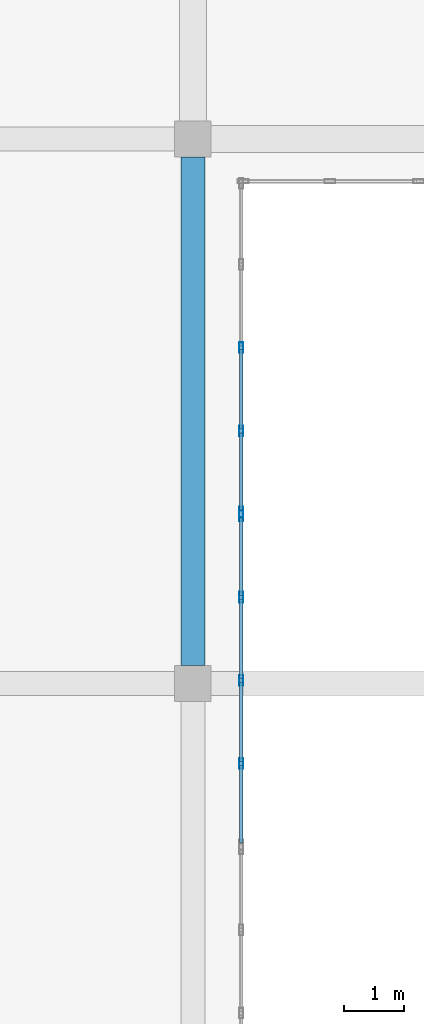
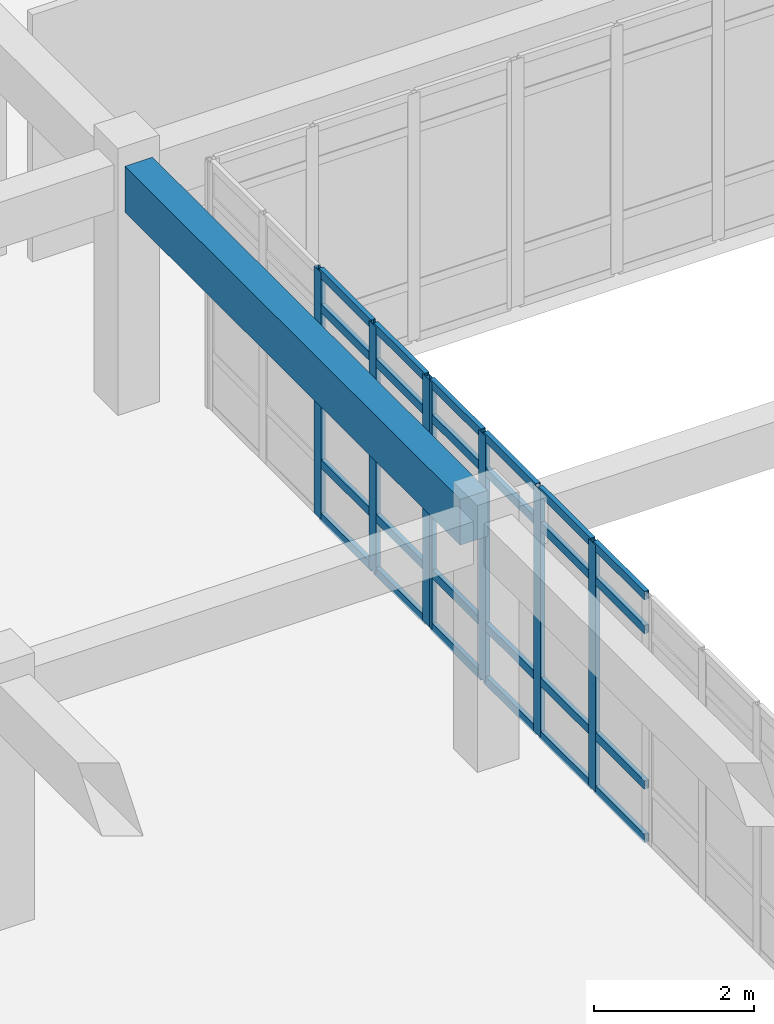
# One storey, part 47 of 91: 31 members, 1 beam, 2 elements without a shape of their own.
"""IFC4 building model written with IfcOpenShell, lengths in metres."""

from ifc_helpers import new_model, si_unit, direction, frame, origin, origin_2d, place, context, subcontext, project, spatial, rectangle, hollow_rectangle, extrude, material, layer, layer_set, material_profile, profile_set, type_object, element, aggregate, save


model = new_model("IFC4")

# Units and contexts
model_context = context("Model", 3, precision=1e-05, world=origin(), true_north=direction((0.0, 1.0)))
body_context = subcontext(model_context, "Body", "Model", "MODEL_VIEW")
ifc_project = project(units=[si_unit("LENGTHUNIT", "METRE"), si_unit("AREAUNIT", "SQUARE_METRE"), si_unit("VOLUMEUNIT", "CUBIC_METRE"), si_unit("PLANEANGLEUNIT", "RADIAN"), si_unit("MASSUNIT", "GRAM", prefix="KILO")], contexts=[model_context])

# Site, building, storey
site_placement = place(None, origin())
site = spatial("IfcSite", under=ifc_project, at=site_placement, CompositionType="ELEMENT")
building_placement = place(site_placement, origin())
building = spatial("IfcBuilding", under=site, at=building_placement, Name="Valcora Specialist Clinic", CompositionType="ELEMENT")
storey_placement = place(building_placement, frame((0.0, 0.0, 13.60009765625)))
storey = spatial("IfcBuildingStorey", under=building, at=storey_placement, Name="L03", CompositionType="ELEMENT", Elevation=13.60009765625)

# Beam
ifc_material_1 = material(Name="Concrete C40/50", Category="concrete")
ifc_material_profile_1 = material_profile(ifc_material_1, rectangle(XDim=0.39990234375, YDim=0.699951171875, at=origin_2d()), Name="RC-BM-400X700")
ifc_profile_set_1 = profile_set([ifc_material_profile_1], Name="Concrete C40/50")
beam_type = type_object("IfcBeamType", Name="TY-BM-RC400X700", PredefinedType="BEAM", material=ifc_profile_set_1)
beam_placement = place(storey_placement, frame((76.0, 90.5, 3.4248046875), z_axis=(0.0, 1.0, 0.0), x_axis=(-1.0, 0.0, 0.0)))
element("IfcBeam", 1, at=beam_placement, inside=storey, type_object=beam_type, Name="Beam BM-L03-0812", PredefinedType="BEAM", context=body_context, shape_type="SweptSolid", body=[
    extrude(rectangle(XDim=0.39990234375, YDim=0.699951171875, at=origin_2d()), origin(), (0.0, 0.0, 1.0), 8.39990234375),
])

# Curtain wall, members
ifc_material_2 = material(Name="Anodized Bronze Aluminium 6063-T6", Category="aluminium")
ifc_layer = layer(ifc_material_2, 0.175048828125)
ifc_layer_set = layer_set([ifc_layer], Name="Anodized Bronze Aluminium 6063-T6")
curtain_wall_type = type_object("IfcCurtainWallType", Name="TY-CW-CRT15", PredefinedType="NOTDEFINED", material=ifc_layer_set)
curtain_wall_1_placement = place(storey_placement, origin())
curtain_wall_1 = element("IfcCurtainWall", 2, at=curtain_wall_1_placement, inside=storey, type_object=curtain_wall_type, Name="Curtain wall CW-L03-134", PredefinedType="NOTDEFINED")
ifc_material_profile_2 = material_profile(ifc_material_2, hollow_rectangle(XDim=0.06494140625, YDim=0.175048828125, WallThickness=0.00390625, at=origin_2d()), Name="AL-MUL-65X175")
ifc_profile_set_2 = profile_set([ifc_material_profile_2], Name="Anodized Bronze Aluminium 6063-T6")
member_type_1 = type_object("IfcMemberType", Name="TY-CWM-65X175", PredefinedType="MULLION", material=ifc_profile_set_2)
member_1_placement = place(storey_placement, frame((76.800048828125, 95.75, 0.0), z_axis=(0.0, 0.0, 1.0), x_axis=(1.0, 0.0, 0.0)))
member_1 = element("IfcMember", 3, at=member_1_placement, type_object=member_type_1, Name="CW-CRT-15 mullion 3", PredefinedType="MULLION", context=body_context, shape_type="SweptSolid", body=[
    extrude(hollow_rectangle(XDim=0.06494140625, YDim=0.175048828125, WallThickness=0.00390625, at=origin_2d()), origin(), (0.0, 0.0, 1.0), 3.77490234375),
])
member_2_placement = place(storey_placement, frame((76.800048828125, 94.375, 0.0), z_axis=(0.0, 0.0, 1.0), x_axis=(1.0, 0.0, 0.0)))
member_2 = element("IfcMember", 4, at=member_2_placement, type_object=member_type_1, Name="CW-CRT-15 mullion 4", PredefinedType="MULLION", context=body_context, shape_type="SweptSolid", body=[
    extrude(hollow_rectangle(XDim=0.06494140625, YDim=0.175048828125, WallThickness=0.00390625, at=origin_2d()), origin(), (0.0, 0.0, 1.0), 3.77490234375),
])
member_3_placement = place(storey_placement, frame((76.800048828125, 93.032470703125, 0.0), z_axis=(0.0, 0.0, 1.0), x_axis=(1.0, 0.0, 0.0)))
member_3 = element("IfcMember", 5, at=member_3_placement, type_object=member_type_1, Name="CW-CRT-15 mullion 5", PredefinedType="MULLION", context=body_context, shape_type="SweptSolid", body=[
    extrude(hollow_rectangle(XDim=0.06494140625, YDim=0.175048828125, WallThickness=0.00390625, at=origin_2d()), origin(), (0.0, 0.0, 1.0), 3.77490234375),
])

curtain_wall_2_placement = place(storey_placement, origin())
curtain_wall_2 = element("IfcCurtainWall", 6, at=curtain_wall_2_placement, inside=storey, type_object=curtain_wall_type, Name="Curtain wall CW-L03-135", PredefinedType="NOTDEFINED")
member_4_placement = place(storey_placement, frame((76.800048828125, 92.967529296875, 0.0), z_axis=(0.0, 0.0, 1.0), x_axis=(1.0, 0.0, 0.0)))
member_4 = element("IfcMember", 7, at=member_4_placement, type_object=member_type_1, Name="CW-CRT-15 mullion 1", PredefinedType="MULLION", context=body_context, shape_type="SweptSolid", body=[
    extrude(hollow_rectangle(XDim=0.06494140625, YDim=0.175048828125, WallThickness=0.00390625, at=origin_2d()), origin(), (0.0, 0.0, 1.0), 3.77490234375),
])
member_5_placement = place(storey_placement, frame((76.800048828125, 91.625, 0.0), z_axis=(0.0, 0.0, 1.0), x_axis=(1.0, 0.0, 0.0)))
member_5 = element("IfcMember", 8, at=member_5_placement, type_object=member_type_1, Name="CW-CRT-15 mullion 2", PredefinedType="MULLION", context=body_context, shape_type="SweptSolid", body=[
    extrude(hollow_rectangle(XDim=0.06494140625, YDim=0.175048828125, WallThickness=0.00390625, at=origin_2d()), origin(), (0.0, 0.0, 1.0), 3.77490234375),
])
member_6_placement = place(storey_placement, frame((76.800048828125, 90.25, 0.0), z_axis=(0.0, 0.0, 1.0), x_axis=(1.0, 0.0, 0.0)))
member_6 = element("IfcMember", 9, at=member_6_placement, type_object=member_type_1, Name="CW-CRT-15 mullion 3", PredefinedType="MULLION", context=body_context, shape_type="SweptSolid", body=[
    extrude(hollow_rectangle(XDim=0.06494140625, YDim=0.175048828125, WallThickness=0.00390625, at=origin_2d()), origin(), (0.0, 0.0, 1.0), 3.77490234375),
])
member_7_placement = place(storey_placement, frame((76.800048828125, 88.875, 0.0), z_axis=(0.0, 0.0, 1.0), x_axis=(1.0, 0.0, 0.0)))
member_7 = element("IfcMember", 10, at=member_7_placement, type_object=member_type_1, Name="CW-CRT-15 mullion 4", PredefinedType="MULLION", context=body_context, shape_type="SweptSolid", body=[
    extrude(hollow_rectangle(XDim=0.06494140625, YDim=0.175048828125, WallThickness=0.00390625, at=origin_2d()), origin(), (0.0, 0.0, 1.0), 3.77490234375),
])

# Member
ifc_material_profile_3 = material_profile(ifc_material_2, hollow_rectangle(XDim=0.06494140625, YDim=0.1298828125, WallThickness=0.00390625, at=origin_2d()), Name="AL-TRN-65X130")
ifc_profile_set_3 = profile_set([ifc_material_profile_3], Name="Anodized Bronze Aluminium 6063-T6")
member_type_2 = type_object("IfcMemberType", Name="TY-CWT-65X130", PredefinedType="USERDEFINED", material=ifc_profile_set_3)
member_8_placement = place(storey_placement, frame((76.800048828125, 95.717529296875, 0.032470703125), z_axis=(0.0, -1.0, 0.0), x_axis=(1.0, 0.0, 0.0)))
member_8 = element("IfcMember", 11, at=member_8_placement, type_object=member_type_2, Name="CW-CRT-15 transom 3.1", ObjectType="TRANSOM", PredefinedType="USERDEFINED", context=body_context, shape_type="SweptSolid", body=[
    extrude(hollow_rectangle(XDim=0.06494140625, YDim=0.1298828125, WallThickness=0.00390625, at=origin_2d()), origin(), (0.0, 0.0, 1.0), 1.31005859375),
])

member_9_placement = place(storey_placement, frame((76.800048828125, 95.717529296875, 0.849853515625), z_axis=(0.0, -1.0, 0.0), x_axis=(1.0, 0.0, 0.0)))
member_9 = element("IfcMember", 12, at=member_9_placement, type_object=member_type_2, Name="CW-CRT-15 transom 3.2", ObjectType="TRANSOM", PredefinedType="USERDEFINED", context=body_context, shape_type="SweptSolid", body=[
    extrude(hollow_rectangle(XDim=0.06494140625, YDim=0.1298828125, WallThickness=0.00390625, at=origin_2d()), origin(), (0.0, 0.0, 1.0), 1.31005859375),
])

member_10_placement = place(storey_placement, frame((76.800048828125, 95.717529296875, 3.224853515625), z_axis=(0.0, -1.0, 0.0), x_axis=(1.0, 0.0, 0.0)))
member_10 = element("IfcMember", 13, at=member_10_placement, type_object=member_type_2, Name="CW-CRT-15 transom 3.3", ObjectType="TRANSOM", PredefinedType="USERDEFINED", context=body_context, shape_type="SweptSolid", body=[
    extrude(hollow_rectangle(XDim=0.06494140625, YDim=0.1298828125, WallThickness=0.00390625, at=origin_2d()), origin(), (0.0, 0.0, 1.0), 1.31005859375),
])

member_11_placement = place(storey_placement, frame((76.800048828125, 95.717529296875, 3.742431640625), z_axis=(0.0, -1.0, 0.0), x_axis=(1.0, 0.0, 0.0)))
member_11 = element("IfcMember", 14, at=member_11_placement, type_object=member_type_2, Name="CW-CRT-15 transom 3.4", ObjectType="TRANSOM", PredefinedType="USERDEFINED", context=body_context, shape_type="SweptSolid", body=[
    extrude(hollow_rectangle(XDim=0.06494140625, YDim=0.1298828125, WallThickness=0.00390625, at=origin_2d()), origin(), (0.0, 0.0, 1.0), 1.31005859375),
])

member_12_placement = place(storey_placement, frame((76.800048828125, 94.342529296875, 0.032470703125), z_axis=(0.0, -1.0, 0.0), x_axis=(1.0, 0.0, 0.0)))
member_12 = element("IfcMember", 15, at=member_12_placement, type_object=member_type_2, Name="CW-CRT-15 transom 4.1", ObjectType="TRANSOM", PredefinedType="USERDEFINED", context=body_context, shape_type="SweptSolid", body=[
    extrude(hollow_rectangle(XDim=0.06494140625, YDim=0.1298828125, WallThickness=0.00390625, at=origin_2d()), origin(), (0.0, 0.0, 1.0), 1.277587890625),
])

member_13_placement = place(storey_placement, frame((76.800048828125, 94.342529296875, 0.849853515625), z_axis=(0.0, -1.0, 0.0), x_axis=(1.0, 0.0, 0.0)))
member_13 = element("IfcMember", 16, at=member_13_placement, type_object=member_type_2, Name="CW-CRT-15 transom 4.2", ObjectType="TRANSOM", PredefinedType="USERDEFINED", context=body_context, shape_type="SweptSolid", body=[
    extrude(hollow_rectangle(XDim=0.06494140625, YDim=0.1298828125, WallThickness=0.00390625, at=origin_2d()), origin(), (0.0, 0.0, 1.0), 1.277587890625),
])

member_14_placement = place(storey_placement, frame((76.800048828125, 94.342529296875, 3.224853515625), z_axis=(0.0, -1.0, 0.0), x_axis=(1.0, 0.0, 0.0)))
member_14 = element("IfcMember", 17, at=member_14_placement, type_object=member_type_2, Name="CW-CRT-15 transom 4.3", ObjectType="TRANSOM", PredefinedType="USERDEFINED", context=body_context, shape_type="SweptSolid", body=[
    extrude(hollow_rectangle(XDim=0.06494140625, YDim=0.1298828125, WallThickness=0.00390625, at=origin_2d()), origin(), (0.0, 0.0, 1.0), 1.277587890625),
])

member_15_placement = place(storey_placement, frame((76.800048828125, 94.342529296875, 3.742431640625), z_axis=(0.0, -1.0, 0.0), x_axis=(1.0, 0.0, 0.0)))
member_15 = element("IfcMember", 18, at=member_15_placement, type_object=member_type_2, Name="CW-CRT-15 transom 4.4", ObjectType="TRANSOM", PredefinedType="USERDEFINED", context=body_context, shape_type="SweptSolid", body=[
    extrude(hollow_rectangle(XDim=0.06494140625, YDim=0.1298828125, WallThickness=0.00390625, at=origin_2d()), origin(), (0.0, 0.0, 1.0), 1.277587890625),
])

aggregate(curtain_wall_1, [member_1, member_2, member_3, member_8, member_9, member_10, member_11, member_12, member_13, member_14, member_15])

member_16_placement = place(storey_placement, frame((76.800048828125, 92.93505859375, 0.032470703125), z_axis=(0.0, -1.0, 0.0), x_axis=(1.0, 0.0, 0.0)))
member_16 = element("IfcMember", 19, at=member_16_placement, type_object=member_type_2, Name="CW-CRT-15 transom 1.1", ObjectType="TRANSOM", PredefinedType="USERDEFINED", context=body_context, shape_type="SweptSolid", body=[
    extrude(hollow_rectangle(XDim=0.06494140625, YDim=0.1298828125, WallThickness=0.00390625, at=origin_2d()), origin(), (0.0, 0.0, 1.0), 1.277587890625),
])

member_17_placement = place(storey_placement, frame((76.800048828125, 92.93505859375, 0.849853515625), z_axis=(0.0, -1.0, 0.0), x_axis=(1.0, 0.0, 0.0)))
member_17 = element("IfcMember", 20, at=member_17_placement, type_object=member_type_2, Name="CW-CRT-15 transom 1.2", ObjectType="TRANSOM", PredefinedType="USERDEFINED", context=body_context, shape_type="SweptSolid", body=[
    extrude(hollow_rectangle(XDim=0.06494140625, YDim=0.1298828125, WallThickness=0.00390625, at=origin_2d()), origin(), (0.0, 0.0, 1.0), 1.277587890625),
])

member_18_placement = place(storey_placement, frame((76.800048828125, 92.93505859375, 3.224853515625), z_axis=(0.0, -1.0, 0.0), x_axis=(1.0, 0.0, 0.0)))
member_18 = element("IfcMember", 21, at=member_18_placement, type_object=member_type_2, Name="CW-CRT-15 transom 1.3", ObjectType="TRANSOM", PredefinedType="USERDEFINED", context=body_context, shape_type="SweptSolid", body=[
    extrude(hollow_rectangle(XDim=0.06494140625, YDim=0.1298828125, WallThickness=0.00390625, at=origin_2d()), origin(), (0.0, 0.0, 1.0), 1.277587890625),
])

member_19_placement = place(storey_placement, frame((76.800048828125, 92.93505859375, 3.742431640625), z_axis=(0.0, -1.0, 0.0), x_axis=(1.0, 0.0, 0.0)))
member_19 = element("IfcMember", 22, at=member_19_placement, type_object=member_type_2, Name="CW-CRT-15 transom 1.4", ObjectType="TRANSOM", PredefinedType="USERDEFINED", context=body_context, shape_type="SweptSolid", body=[
    extrude(hollow_rectangle(XDim=0.06494140625, YDim=0.1298828125, WallThickness=0.00390625, at=origin_2d()), origin(), (0.0, 0.0, 1.0), 1.277587890625),
])

member_20_placement = place(storey_placement, frame((76.800048828125, 91.592529296875, 0.032470703125), z_axis=(0.0, -1.0, 0.0), x_axis=(1.0, 0.0, 0.0)))
member_20 = element("IfcMember", 23, at=member_20_placement, type_object=member_type_2, Name="CW-CRT-15 transom 2.1", ObjectType="TRANSOM", PredefinedType="USERDEFINED", context=body_context, shape_type="SweptSolid", body=[
    extrude(hollow_rectangle(XDim=0.06494140625, YDim=0.1298828125, WallThickness=0.00390625, at=origin_2d()), origin(), (0.0, 0.0, 1.0), 1.31005859375),
])

member_21_placement = place(storey_placement, frame((76.800048828125, 91.592529296875, 0.849853515625), z_axis=(0.0, -1.0, 0.0), x_axis=(1.0, 0.0, 0.0)))
member_21 = element("IfcMember", 24, at=member_21_placement, type_object=member_type_2, Name="CW-CRT-15 transom 2.2", ObjectType="TRANSOM", PredefinedType="USERDEFINED", context=body_context, shape_type="SweptSolid", body=[
    extrude(hollow_rectangle(XDim=0.06494140625, YDim=0.1298828125, WallThickness=0.00390625, at=origin_2d()), origin(), (0.0, 0.0, 1.0), 1.31005859375),
])

member_22_placement = place(storey_placement, frame((76.800048828125, 91.592529296875, 3.224853515625), z_axis=(0.0, -1.0, 0.0), x_axis=(1.0, 0.0, 0.0)))
member_22 = element("IfcMember", 25, at=member_22_placement, type_object=member_type_2, Name="CW-CRT-15 transom 2.3", ObjectType="TRANSOM", PredefinedType="USERDEFINED", context=body_context, shape_type="SweptSolid", body=[
    extrude(hollow_rectangle(XDim=0.06494140625, YDim=0.1298828125, WallThickness=0.00390625, at=origin_2d()), origin(), (0.0, 0.0, 1.0), 1.31005859375),
])

member_23_placement = place(storey_placement, frame((76.800048828125, 91.592529296875, 3.742431640625), z_axis=(0.0, -1.0, 0.0), x_axis=(1.0, 0.0, 0.0)))
member_23 = element("IfcMember", 26, at=member_23_placement, type_object=member_type_2, Name="CW-CRT-15 transom 2.4", ObjectType="TRANSOM", PredefinedType="USERDEFINED", context=body_context, shape_type="SweptSolid", body=[
    extrude(hollow_rectangle(XDim=0.06494140625, YDim=0.1298828125, WallThickness=0.00390625, at=origin_2d()), origin(), (0.0, 0.0, 1.0), 1.31005859375),
])

member_24_placement = place(storey_placement, frame((76.800048828125, 90.217529296875, 0.032470703125), z_axis=(0.0, -1.0, 0.0), x_axis=(1.0, 0.0, 0.0)))
member_24 = element("IfcMember", 27, at=member_24_placement, type_object=member_type_2, Name="CW-CRT-15 transom 3.1", ObjectType="TRANSOM", PredefinedType="USERDEFINED", context=body_context, shape_type="SweptSolid", body=[
    extrude(hollow_rectangle(XDim=0.06494140625, YDim=0.1298828125, WallThickness=0.00390625, at=origin_2d()), origin(), (0.0, 0.0, 1.0), 1.31005859375),
])

member_25_placement = place(storey_placement, frame((76.800048828125, 90.217529296875, 0.849853515625), z_axis=(0.0, -1.0, 0.0), x_axis=(1.0, 0.0, 0.0)))
member_25 = element("IfcMember", 28, at=member_25_placement, type_object=member_type_2, Name="CW-CRT-15 transom 3.2", ObjectType="TRANSOM", PredefinedType="USERDEFINED", context=body_context, shape_type="SweptSolid", body=[
    extrude(hollow_rectangle(XDim=0.06494140625, YDim=0.1298828125, WallThickness=0.00390625, at=origin_2d()), origin(), (0.0, 0.0, 1.0), 1.31005859375),
])

member_26_placement = place(storey_placement, frame((76.800048828125, 90.217529296875, 3.224853515625), z_axis=(0.0, -1.0, 0.0), x_axis=(1.0, 0.0, 0.0)))
member_26 = element("IfcMember", 29, at=member_26_placement, type_object=member_type_2, Name="CW-CRT-15 transom 3.3", ObjectType="TRANSOM", PredefinedType="USERDEFINED", context=body_context, shape_type="SweptSolid", body=[
    extrude(hollow_rectangle(XDim=0.06494140625, YDim=0.1298828125, WallThickness=0.00390625, at=origin_2d()), origin(), (0.0, 0.0, 1.0), 1.31005859375),
])

member_27_placement = place(storey_placement, frame((76.800048828125, 90.217529296875, 3.742431640625), z_axis=(0.0, -1.0, 0.0), x_axis=(1.0, 0.0, 0.0)))
member_27 = element("IfcMember", 30, at=member_27_placement, type_object=member_type_2, Name="CW-CRT-15 transom 3.4", ObjectType="TRANSOM", PredefinedType="USERDEFINED", context=body_context, shape_type="SweptSolid", body=[
    extrude(hollow_rectangle(XDim=0.06494140625, YDim=0.1298828125, WallThickness=0.00390625, at=origin_2d()), origin(), (0.0, 0.0, 1.0), 1.31005859375),
])

member_28_placement = place(storey_placement, frame((76.800048828125, 88.842529296875, 0.032470703125), z_axis=(0.0, -1.0, 0.0), x_axis=(1.0, 0.0, 0.0)))
member_28 = element("IfcMember", 31, at=member_28_placement, type_object=member_type_2, Name="CW-CRT-15 transom 4.1", ObjectType="TRANSOM", PredefinedType="USERDEFINED", context=body_context, shape_type="SweptSolid", body=[
    extrude(hollow_rectangle(XDim=0.06494140625, YDim=0.1298828125, WallThickness=0.00390625, at=origin_2d()), origin(), (0.0, 0.0, 1.0), 1.277587890625),
])

member_29_placement = place(storey_placement, frame((76.800048828125, 88.842529296875, 0.849853515625), z_axis=(0.0, -1.0, 0.0), x_axis=(1.0, 0.0, 0.0)))
member_29 = element("IfcMember", 32, at=member_29_placement, type_object=member_type_2, Name="CW-CRT-15 transom 4.2", ObjectType="TRANSOM", PredefinedType="USERDEFINED", context=body_context, shape_type="SweptSolid", body=[
    extrude(hollow_rectangle(XDim=0.06494140625, YDim=0.1298828125, WallThickness=0.00390625, at=origin_2d()), origin(), (0.0, 0.0, 1.0), 1.277587890625),
])

member_30_placement = place(storey_placement, frame((76.800048828125, 88.842529296875, 3.224853515625), z_axis=(0.0, -1.0, 0.0), x_axis=(1.0, 0.0, 0.0)))
member_30 = element("IfcMember", 33, at=member_30_placement, type_object=member_type_2, Name="CW-CRT-15 transom 4.3", ObjectType="TRANSOM", PredefinedType="USERDEFINED", context=body_context, shape_type="SweptSolid", body=[
    extrude(hollow_rectangle(XDim=0.06494140625, YDim=0.1298828125, WallThickness=0.00390625, at=origin_2d()), origin(), (0.0, 0.0, 1.0), 1.277587890625),
])

member_31_placement = place(storey_placement, frame((76.800048828125, 88.842529296875, 3.742431640625), z_axis=(0.0, -1.0, 0.0), x_axis=(1.0, 0.0, 0.0)))
member_31 = element("IfcMember", 34, at=member_31_placement, type_object=member_type_2, Name="CW-CRT-15 transom 4.4", ObjectType="TRANSOM", PredefinedType="USERDEFINED", context=body_context, shape_type="SweptSolid", body=[
    extrude(hollow_rectangle(XDim=0.06494140625, YDim=0.1298828125, WallThickness=0.00390625, at=origin_2d()), origin(), (0.0, 0.0, 1.0), 1.277587890625),
])

aggregate(curtain_wall_2, [member_4, member_5, member_6, member_7, member_16, member_17, member_18, member_19, member_20, member_21, member_22, member_23, member_24, member_25, member_26, member_27, member_28, member_29, member_30, member_31])

save(model, "model.ifc")
